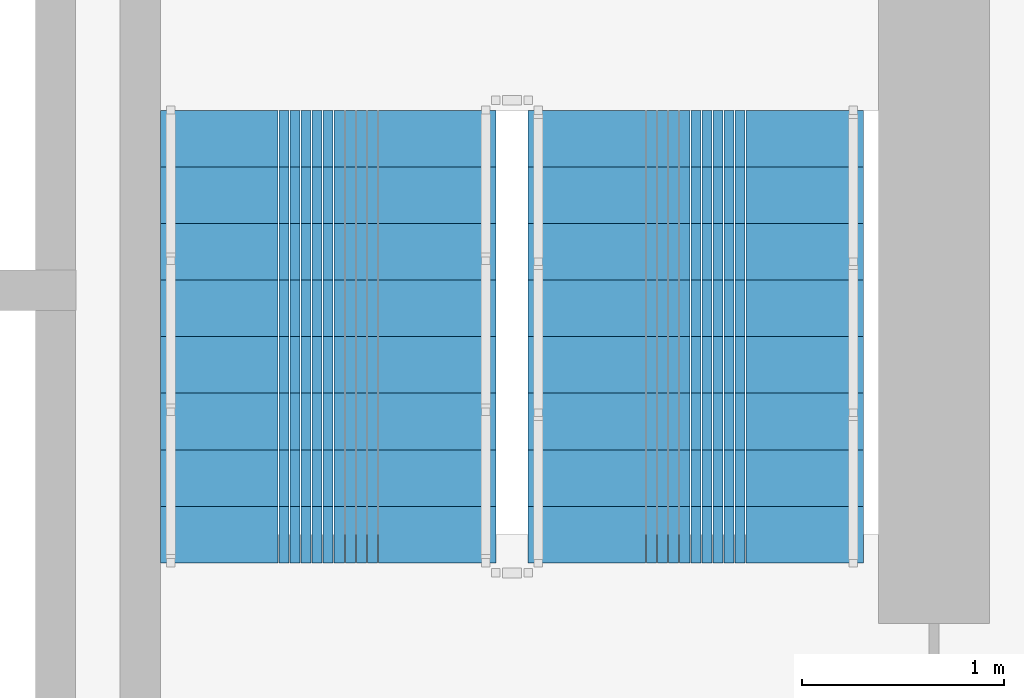
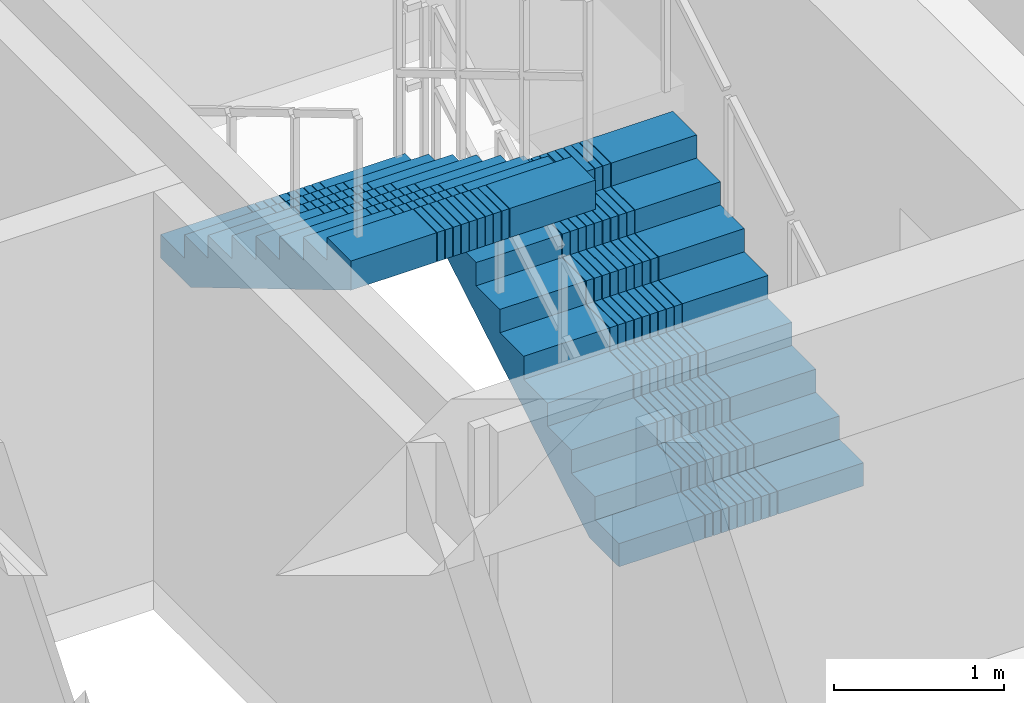
# One storey, part 18 of 22: 2 stair flights, 1 element without a shape of its own.
"""IFC4 building model written with IfcOpenShell, lengths in metres."""

from ifc_helpers import new_model, si_unit, direction, frame, origin, place, context, subcontext, project, spatial, polyline, outline, extrude, material, type_object, element, aggregate, save


model = new_model("IFC4")

# Units and contexts
model_context = context("Model", 3, precision=1e-05, world=origin(), true_north=direction((0.0, 1.0)))
body_context = subcontext(model_context, "Body", "Model", "MODEL_VIEW")
ifc_project = project(units=[si_unit("LENGTHUNIT", "METRE"), si_unit("AREAUNIT", "SQUARE_METRE"), si_unit("VOLUMEUNIT", "CUBIC_METRE"), si_unit("PLANEANGLEUNIT", "RADIAN"), si_unit("MASSUNIT", "GRAM", prefix="KILO")], contexts=[model_context])

# Site, building, storey
site_placement = place(None, origin())
site = spatial("IfcSite", under=ifc_project, at=site_placement, CompositionType="ELEMENT")
building_placement = place(site_placement, origin())
building = spatial("IfcBuilding", under=site, at=building_placement, Name="Saelheon Loggia Tower", CompositionType="ELEMENT")
storey_placement = place(building_placement, frame((0.0, 0.0, 135.75)))
storey = spatial("IfcBuildingStorey", under=building, at=storey_placement, Name="L43", CompositionType="ELEMENT", Elevation=135.75)

# Stair, stair flights
ifc_material = material(Name="Concrete C40/50", Category="concrete")
stair_type = type_object("IfcStairType", Name="Stair_Escape_Core", PredefinedType="HALF_TURN_STAIR", material=ifc_material)
stair_placement = place(storey_placement, origin())
stair = element("IfcStair", 1, at=stair_placement, inside=storey, type_object=stair_type, Name="L43 Special Escape Stair ST2", PredefinedType="HALF_TURN_STAIR")
stair_flight_type = type_object("IfcStairFlightType", Name="StairFlight_Tower_1660", PredefinedType="STRAIGHT", material=ifc_material)
stair_flight_1_placement = place(storey_placement, frame((43.320068359375, 30.449951171875, 0.0), z_axis=(0.0, 0.0, 1.0), x_axis=(0.0, 1.0, 0.0)))
stair_flight_1 = element("IfcStairFlight", 2, at=stair_flight_1_placement, type_object=stair_flight_type, Name="ST2 flight 1", NumberOfRisers=9, NumberOfTreads=8, PredefinedType="STRAIGHT", RiserHeight=0.166666667, TreadLength=0.28, context=body_context, shape_type="SweptSolid", body=[
    extrude(outline(polyline([(0.0, 0.0), (0.0, 0.166748046875), (0.280029296875, 0.166748046875), (0.280029296875, 0.333251953125), (0.56005859375, 0.333251953125), (0.56005859375, 0.5), (0.840087890625, 0.5), (0.840087890625, 0.666748046875), (1.1201171875, 0.666748046875), (1.1201171875, 0.833251953125), (1.39990234375, 0.833251953125), (1.39990234375, 1.0), (1.679931640625, 1.0), (1.679931640625, 1.166748046875), (1.9599609375, 1.166748046875), (1.9599609375, 1.333251953125), (2.239990234375, 1.333251953125), (2.239990234375, 1.5), (2.239990234375, 1.1240234375), (0.351806640625, 0.0), (0.0, 0.0)])), frame((0.0, -0.2490234375, 0.0), z_axis=(0.0, -1.0, 0.0), x_axis=(1.0, 0.0, 0.0)), (0.0, 0.0, 1.0), 0.5810546875),
    extrude(outline(polyline([(0.0, 0.0), (0.0, 0.166748046875), (0.280029296875, 0.166748046875), (0.280029296875, 0.333251953125), (0.56005859375, 0.333251953125), (0.56005859375, 0.5), (0.840087890625, 0.5), (0.840087890625, 0.666748046875), (1.1201171875, 0.666748046875), (1.1201171875, 0.833251953125), (1.39990234375, 0.833251953125), (1.39990234375, 1.0), (1.679931640625, 1.0), (1.679931640625, 1.166748046875), (1.9599609375, 1.166748046875), (1.9599609375, 1.333251953125), (2.239990234375, 1.333251953125), (2.239990234375, 1.5), (2.239990234375, 1.1240234375), (0.351806640625, 0.0), (0.0, 0.0)])), frame((0.0, -0.194091796875, 0.0), z_axis=(0.0, -1.0, 0.0), x_axis=(1.0, 0.0, 0.0)), (0.0, 0.0, 1.0), 0.0498046875),
    extrude(outline(polyline([(0.0, 0.0), (0.0, 0.166748046875), (0.280029296875, 0.166748046875), (0.280029296875, 0.333251953125), (0.56005859375, 0.333251953125), (0.56005859375, 0.5), (0.840087890625, 0.5), (0.840087890625, 0.666748046875), (1.1201171875, 0.666748046875), (1.1201171875, 0.833251953125), (1.39990234375, 0.833251953125), (1.39990234375, 1.0), (1.679931640625, 1.0), (1.679931640625, 1.166748046875), (1.9599609375, 1.166748046875), (1.9599609375, 1.333251953125), (2.239990234375, 1.333251953125), (2.239990234375, 1.5), (2.239990234375, 1.1240234375), (0.351806640625, 0.0), (0.0, 0.0)])), frame((0.0, -0.139404296875, 0.0), z_axis=(0.0, -1.0, 0.0), x_axis=(1.0, 0.0, 0.0)), (0.0, 0.0, 1.0), 0.0498046875),
    extrude(outline(polyline([(0.0, 0.0), (0.0, 0.166748046875), (0.280029296875, 0.166748046875), (0.280029296875, 0.333251953125), (0.56005859375, 0.333251953125), (0.56005859375, 0.5), (0.840087890625, 0.5), (0.840087890625, 0.666748046875), (1.1201171875, 0.666748046875), (1.1201171875, 0.833251953125), (1.39990234375, 0.833251953125), (1.39990234375, 1.0), (1.679931640625, 1.0), (1.679931640625, 1.166748046875), (1.9599609375, 1.166748046875), (1.9599609375, 1.333251953125), (2.239990234375, 1.333251953125), (2.239990234375, 1.5), (2.239990234375, 1.1240234375), (0.351806640625, 0.0), (0.0, 0.0)])), frame((0.0, -0.084716796875, 0.0), z_axis=(0.0, -1.0, 0.0), x_axis=(1.0, 0.0, 0.0)), (0.0, 0.0, 1.0), 0.0498046875),
    extrude(outline(polyline([(0.0, 0.0), (0.0, 0.166748046875), (0.280029296875, 0.166748046875), (0.280029296875, 0.333251953125), (0.56005859375, 0.333251953125), (0.56005859375, 0.5), (0.840087890625, 0.5), (0.840087890625, 0.666748046875), (1.1201171875, 0.666748046875), (1.1201171875, 0.833251953125), (1.39990234375, 0.833251953125), (1.39990234375, 1.0), (1.679931640625, 1.0), (1.679931640625, 1.166748046875), (1.9599609375, 1.166748046875), (1.9599609375, 1.333251953125), (2.239990234375, 1.333251953125), (2.239990234375, 1.5), (2.239990234375, 1.1240234375), (0.351806640625, 0.0), (0.0, 0.0)])), frame((0.0, -0.02978515625, 0.0), z_axis=(0.0, -1.0, 0.0), x_axis=(1.0, 0.0, 0.0)), (0.0, 0.0, 1.0), 0.0498046875),
    extrude(outline(polyline([(0.0, 0.0), (0.0, 0.166748046875), (0.280029296875, 0.166748046875), (0.280029296875, 0.333251953125), (0.56005859375, 0.333251953125), (0.56005859375, 0.5), (0.840087890625, 0.5), (0.840087890625, 0.666748046875), (1.1201171875, 0.666748046875), (1.1201171875, 0.833251953125), (1.39990234375, 0.833251953125), (1.39990234375, 1.0), (1.679931640625, 1.0), (1.679931640625, 1.166748046875), (1.9599609375, 1.166748046875), (1.9599609375, 1.333251953125), (2.239990234375, 1.333251953125), (2.239990234375, 1.5), (2.239990234375, 1.1240234375), (0.351806640625, 0.0), (0.0, 0.0)])), frame((0.0, 0.02490234375, 0.0), z_axis=(0.0, -1.0, 0.0), x_axis=(1.0, 0.0, 0.0)), (0.0, 0.0, 1.0), 0.0498046875),
    extrude(outline(polyline([(0.0, 0.0), (0.0, 0.166748046875), (0.280029296875, 0.166748046875), (0.280029296875, 0.333251953125), (0.56005859375, 0.333251953125), (0.56005859375, 0.5), (0.840087890625, 0.5), (0.840087890625, 0.666748046875), (1.1201171875, 0.666748046875), (1.1201171875, 0.833251953125), (1.39990234375, 0.833251953125), (1.39990234375, 1.0), (1.679931640625, 1.0), (1.679931640625, 1.166748046875), (1.9599609375, 1.166748046875), (1.9599609375, 1.333251953125), (2.239990234375, 1.333251953125), (2.239990234375, 1.5), (2.239990234375, 1.1240234375), (0.351806640625, 0.0), (0.0, 0.0)])), frame((0.0, 0.07958984375, 0.0), z_axis=(0.0, -1.0, 0.0), x_axis=(1.0, 0.0, 0.0)), (0.0, 0.0, 1.0), 0.0498046875),
    extrude(outline(polyline([(0.0, 0.0), (0.0, 0.166748046875), (0.280029296875, 0.166748046875), (0.280029296875, 0.333251953125), (0.56005859375, 0.333251953125), (0.56005859375, 0.5), (0.840087890625, 0.5), (0.840087890625, 0.666748046875), (1.1201171875, 0.666748046875), (1.1201171875, 0.833251953125), (1.39990234375, 0.833251953125), (1.39990234375, 1.0), (1.679931640625, 1.0), (1.679931640625, 1.166748046875), (1.9599609375, 1.166748046875), (1.9599609375, 1.333251953125), (2.239990234375, 1.333251953125), (2.239990234375, 1.5), (2.239990234375, 1.1240234375), (0.351806640625, 0.0), (0.0, 0.0)])), frame((0.0, 0.134521484375, 0.0), z_axis=(0.0, -1.0, 0.0), x_axis=(1.0, 0.0, 0.0)), (0.0, 0.0, 1.0), 0.0498046875),
    extrude(outline(polyline([(0.0, 0.0), (0.0, 0.166748046875), (0.280029296875, 0.166748046875), (0.280029296875, 0.333251953125), (0.56005859375, 0.333251953125), (0.56005859375, 0.5), (0.840087890625, 0.5), (0.840087890625, 0.666748046875), (1.1201171875, 0.666748046875), (1.1201171875, 0.833251953125), (1.39990234375, 0.833251953125), (1.39990234375, 1.0), (1.679931640625, 1.0), (1.679931640625, 1.166748046875), (1.9599609375, 1.166748046875), (1.9599609375, 1.333251953125), (2.239990234375, 1.333251953125), (2.239990234375, 1.5), (2.239990234375, 1.1240234375), (0.351806640625, 0.0), (0.0, 0.0)])), frame((0.0, 0.189208984375, 0.0), z_axis=(0.0, -1.0, 0.0), x_axis=(1.0, 0.0, 0.0)), (0.0, 0.0, 1.0), 0.0498046875),
    extrude(outline(polyline([(0.0, 0.0), (0.0, 0.166748046875), (0.280029296875, 0.166748046875), (0.280029296875, 0.333251953125), (0.56005859375, 0.333251953125), (0.56005859375, 0.5), (0.840087890625, 0.5), (0.840087890625, 0.666748046875), (1.1201171875, 0.666748046875), (1.1201171875, 0.833251953125), (1.39990234375, 0.833251953125), (1.39990234375, 1.0), (1.679931640625, 1.0), (1.679931640625, 1.166748046875), (1.9599609375, 1.166748046875), (1.9599609375, 1.333251953125), (2.239990234375, 1.333251953125), (2.239990234375, 1.5), (2.239990234375, 1.1240234375), (0.351806640625, 0.0), (0.0, 0.0)])), frame((0.0, 0.243896484375, 0.0), z_axis=(0.0, -1.0, 0.0), x_axis=(1.0, 0.0, 0.0)), (0.0, 0.0, 1.0), 0.0498046875),
    extrude(outline(polyline([(0.0, 0.0), (0.0, 0.166748046875), (0.280029296875, 0.166748046875), (0.280029296875, 0.333251953125), (0.56005859375, 0.333251953125), (0.56005859375, 0.5), (0.840087890625, 0.5), (0.840087890625, 0.666748046875), (1.1201171875, 0.666748046875), (1.1201171875, 0.833251953125), (1.39990234375, 0.833251953125), (1.39990234375, 1.0), (1.679931640625, 1.0), (1.679931640625, 1.166748046875), (1.9599609375, 1.166748046875), (1.9599609375, 1.333251953125), (2.239990234375, 1.333251953125), (2.239990234375, 1.5), (2.239990234375, 1.1240234375), (0.351806640625, 0.0), (0.0, 0.0)])), frame((0.0, 0.830078125, 0.0), z_axis=(0.0, -1.0, 0.0), x_axis=(1.0, 0.0, 0.0)), (0.0, 0.0, 1.0), 0.5810546875),
])
stair_flight_2_placement = place(storey_placement, frame((41.5, 32.68994140625, 1.5), z_axis=(0.0, 0.0, 1.0), x_axis=(0.0, -1.0, 0.0)))
stair_flight_2 = element("IfcStairFlight", 3, at=stair_flight_2_placement, type_object=stair_flight_type, Name="ST2 flight 2", NumberOfRisers=9, NumberOfTreads=8, PredefinedType="STRAIGHT", RiserHeight=0.166666667, TreadLength=0.28, context=body_context, shape_type="SweptSolid", body=[
    extrude(outline(polyline([(0.0, 0.0), (0.0, 0.166748046875), (0.280029296875, 0.166748046875), (0.280029296875, 0.333251953125), (0.56005859375, 0.333251953125), (0.56005859375, 0.5), (0.840087890625, 0.5), (0.840087890625, 0.666748046875), (1.1201171875, 0.666748046875), (1.1201171875, 0.833251953125), (1.39990234375, 0.833251953125), (1.39990234375, 1.0), (1.679931640625, 1.0), (1.679931640625, 1.166748046875), (1.9599609375, 1.166748046875), (1.9599609375, 1.333251953125), (2.239990234375, 1.333251953125), (2.239990234375, 1.5), (2.239990234375, 1.1240234375), (0.351806640625, 0.0), (0.0, 0.0)])), frame((0.0, -0.2490234375, 0.0), z_axis=(0.0, -1.0, 0.0), x_axis=(1.0, 0.0, 0.0)), (0.0, 0.0, 1.0), 0.5810546875),
    extrude(outline(polyline([(0.0, 0.0), (0.0, 0.166748046875), (0.280029296875, 0.166748046875), (0.280029296875, 0.333251953125), (0.56005859375, 0.333251953125), (0.56005859375, 0.5), (0.840087890625, 0.5), (0.840087890625, 0.666748046875), (1.1201171875, 0.666748046875), (1.1201171875, 0.833251953125), (1.39990234375, 0.833251953125), (1.39990234375, 1.0), (1.679931640625, 1.0), (1.679931640625, 1.166748046875), (1.9599609375, 1.166748046875), (1.9599609375, 1.333251953125), (2.239990234375, 1.333251953125), (2.239990234375, 1.5), (2.239990234375, 1.1240234375), (0.351806640625, 0.0), (0.0, 0.0)])), frame((0.0, -0.194091796875, 0.0), z_axis=(0.0, -1.0, 0.0), x_axis=(1.0, 0.0, 0.0)), (0.0, 0.0, 1.0), 0.0498046875),
    extrude(outline(polyline([(0.0, 0.0), (0.0, 0.166748046875), (0.280029296875, 0.166748046875), (0.280029296875, 0.333251953125), (0.56005859375, 0.333251953125), (0.56005859375, 0.5), (0.840087890625, 0.5), (0.840087890625, 0.666748046875), (1.1201171875, 0.666748046875), (1.1201171875, 0.833251953125), (1.39990234375, 0.833251953125), (1.39990234375, 1.0), (1.679931640625, 1.0), (1.679931640625, 1.166748046875), (1.9599609375, 1.166748046875), (1.9599609375, 1.333251953125), (2.239990234375, 1.333251953125), (2.239990234375, 1.5), (2.239990234375, 1.1240234375), (0.351806640625, 0.0), (0.0, 0.0)])), frame((0.0, -0.139404296875, 0.0), z_axis=(0.0, -1.0, 0.0), x_axis=(1.0, 0.0, 0.0)), (0.0, 0.0, 1.0), 0.0498046875),
    extrude(outline(polyline([(0.0, 0.0), (0.0, 0.166748046875), (0.280029296875, 0.166748046875), (0.280029296875, 0.333251953125), (0.56005859375, 0.333251953125), (0.56005859375, 0.5), (0.840087890625, 0.5), (0.840087890625, 0.666748046875), (1.1201171875, 0.666748046875), (1.1201171875, 0.833251953125), (1.39990234375, 0.833251953125), (1.39990234375, 1.0), (1.679931640625, 1.0), (1.679931640625, 1.166748046875), (1.9599609375, 1.166748046875), (1.9599609375, 1.333251953125), (2.239990234375, 1.333251953125), (2.239990234375, 1.5), (2.239990234375, 1.1240234375), (0.351806640625, 0.0), (0.0, 0.0)])), frame((0.0, -0.084716796875, 0.0), z_axis=(0.0, -1.0, 0.0), x_axis=(1.0, 0.0, 0.0)), (0.0, 0.0, 1.0), 0.0498046875),
    extrude(outline(polyline([(0.0, 0.0), (0.0, 0.166748046875), (0.280029296875, 0.166748046875), (0.280029296875, 0.333251953125), (0.56005859375, 0.333251953125), (0.56005859375, 0.5), (0.840087890625, 0.5), (0.840087890625, 0.666748046875), (1.1201171875, 0.666748046875), (1.1201171875, 0.833251953125), (1.39990234375, 0.833251953125), (1.39990234375, 1.0), (1.679931640625, 1.0), (1.679931640625, 1.166748046875), (1.9599609375, 1.166748046875), (1.9599609375, 1.333251953125), (2.239990234375, 1.333251953125), (2.239990234375, 1.5), (2.239990234375, 1.1240234375), (0.351806640625, 0.0), (0.0, 0.0)])), frame((0.0, -0.02978515625, 0.0), z_axis=(0.0, -1.0, 0.0), x_axis=(1.0, 0.0, 0.0)), (0.0, 0.0, 1.0), 0.0498046875),
    extrude(outline(polyline([(0.0, 0.0), (0.0, 0.166748046875), (0.280029296875, 0.166748046875), (0.280029296875, 0.333251953125), (0.56005859375, 0.333251953125), (0.56005859375, 0.5), (0.840087890625, 0.5), (0.840087890625, 0.666748046875), (1.1201171875, 0.666748046875), (1.1201171875, 0.833251953125), (1.39990234375, 0.833251953125), (1.39990234375, 1.0), (1.679931640625, 1.0), (1.679931640625, 1.166748046875), (1.9599609375, 1.166748046875), (1.9599609375, 1.333251953125), (2.239990234375, 1.333251953125), (2.239990234375, 1.5), (2.239990234375, 1.1240234375), (0.351806640625, 0.0), (0.0, 0.0)])), frame((0.0, 0.02490234375, 0.0), z_axis=(0.0, -1.0, 0.0), x_axis=(1.0, 0.0, 0.0)), (0.0, 0.0, 1.0), 0.0498046875),
    extrude(outline(polyline([(0.0, 0.0), (0.0, 0.166748046875), (0.280029296875, 0.166748046875), (0.280029296875, 0.333251953125), (0.56005859375, 0.333251953125), (0.56005859375, 0.5), (0.840087890625, 0.5), (0.840087890625, 0.666748046875), (1.1201171875, 0.666748046875), (1.1201171875, 0.833251953125), (1.39990234375, 0.833251953125), (1.39990234375, 1.0), (1.679931640625, 1.0), (1.679931640625, 1.166748046875), (1.9599609375, 1.166748046875), (1.9599609375, 1.333251953125), (2.239990234375, 1.333251953125), (2.239990234375, 1.5), (2.239990234375, 1.1240234375), (0.351806640625, 0.0), (0.0, 0.0)])), frame((0.0, 0.07958984375, 0.0), z_axis=(0.0, -1.0, 0.0), x_axis=(1.0, 0.0, 0.0)), (0.0, 0.0, 1.0), 0.0498046875),
    extrude(outline(polyline([(0.0, 0.0), (0.0, 0.166748046875), (0.280029296875, 0.166748046875), (0.280029296875, 0.333251953125), (0.56005859375, 0.333251953125), (0.56005859375, 0.5), (0.840087890625, 0.5), (0.840087890625, 0.666748046875), (1.1201171875, 0.666748046875), (1.1201171875, 0.833251953125), (1.39990234375, 0.833251953125), (1.39990234375, 1.0), (1.679931640625, 1.0), (1.679931640625, 1.166748046875), (1.9599609375, 1.166748046875), (1.9599609375, 1.333251953125), (2.239990234375, 1.333251953125), (2.239990234375, 1.5), (2.239990234375, 1.1240234375), (0.351806640625, 0.0), (0.0, 0.0)])), frame((0.0, 0.134521484375, 0.0), z_axis=(0.0, -1.0, 0.0), x_axis=(1.0, 0.0, 0.0)), (0.0, 0.0, 1.0), 0.0498046875),
    extrude(outline(polyline([(0.0, 0.0), (0.0, 0.166748046875), (0.280029296875, 0.166748046875), (0.280029296875, 0.333251953125), (0.56005859375, 0.333251953125), (0.56005859375, 0.5), (0.840087890625, 0.5), (0.840087890625, 0.666748046875), (1.1201171875, 0.666748046875), (1.1201171875, 0.833251953125), (1.39990234375, 0.833251953125), (1.39990234375, 1.0), (1.679931640625, 1.0), (1.679931640625, 1.166748046875), (1.9599609375, 1.166748046875), (1.9599609375, 1.333251953125), (2.239990234375, 1.333251953125), (2.239990234375, 1.5), (2.239990234375, 1.1240234375), (0.351806640625, 0.0), (0.0, 0.0)])), frame((0.0, 0.189208984375, 0.0), z_axis=(0.0, -1.0, 0.0), x_axis=(1.0, 0.0, 0.0)), (0.0, 0.0, 1.0), 0.0498046875),
    extrude(outline(polyline([(0.0, 0.0), (0.0, 0.166748046875), (0.280029296875, 0.166748046875), (0.280029296875, 0.333251953125), (0.56005859375, 0.333251953125), (0.56005859375, 0.5), (0.840087890625, 0.5), (0.840087890625, 0.666748046875), (1.1201171875, 0.666748046875), (1.1201171875, 0.833251953125), (1.39990234375, 0.833251953125), (1.39990234375, 1.0), (1.679931640625, 1.0), (1.679931640625, 1.166748046875), (1.9599609375, 1.166748046875), (1.9599609375, 1.333251953125), (2.239990234375, 1.333251953125), (2.239990234375, 1.5), (2.239990234375, 1.1240234375), (0.351806640625, 0.0), (0.0, 0.0)])), frame((0.0, 0.243896484375, 0.0), z_axis=(0.0, -1.0, 0.0), x_axis=(1.0, 0.0, 0.0)), (0.0, 0.0, 1.0), 0.0498046875),
    extrude(outline(polyline([(0.0, 0.0), (0.0, 0.166748046875), (0.280029296875, 0.166748046875), (0.280029296875, 0.333251953125), (0.56005859375, 0.333251953125), (0.56005859375, 0.5), (0.840087890625, 0.5), (0.840087890625, 0.666748046875), (1.1201171875, 0.666748046875), (1.1201171875, 0.833251953125), (1.39990234375, 0.833251953125), (1.39990234375, 1.0), (1.679931640625, 1.0), (1.679931640625, 1.166748046875), (1.9599609375, 1.166748046875), (1.9599609375, 1.333251953125), (2.239990234375, 1.333251953125), (2.239990234375, 1.5), (2.239990234375, 1.1240234375), (0.351806640625, 0.0), (0.0, 0.0)])), frame((0.0, 0.830078125, 0.0), z_axis=(0.0, -1.0, 0.0), x_axis=(1.0, 0.0, 0.0)), (0.0, 0.0, 1.0), 0.5810546875),
])
aggregate(stair, [stair_flight_1, stair_flight_2])

save(model, "model.ifc")
